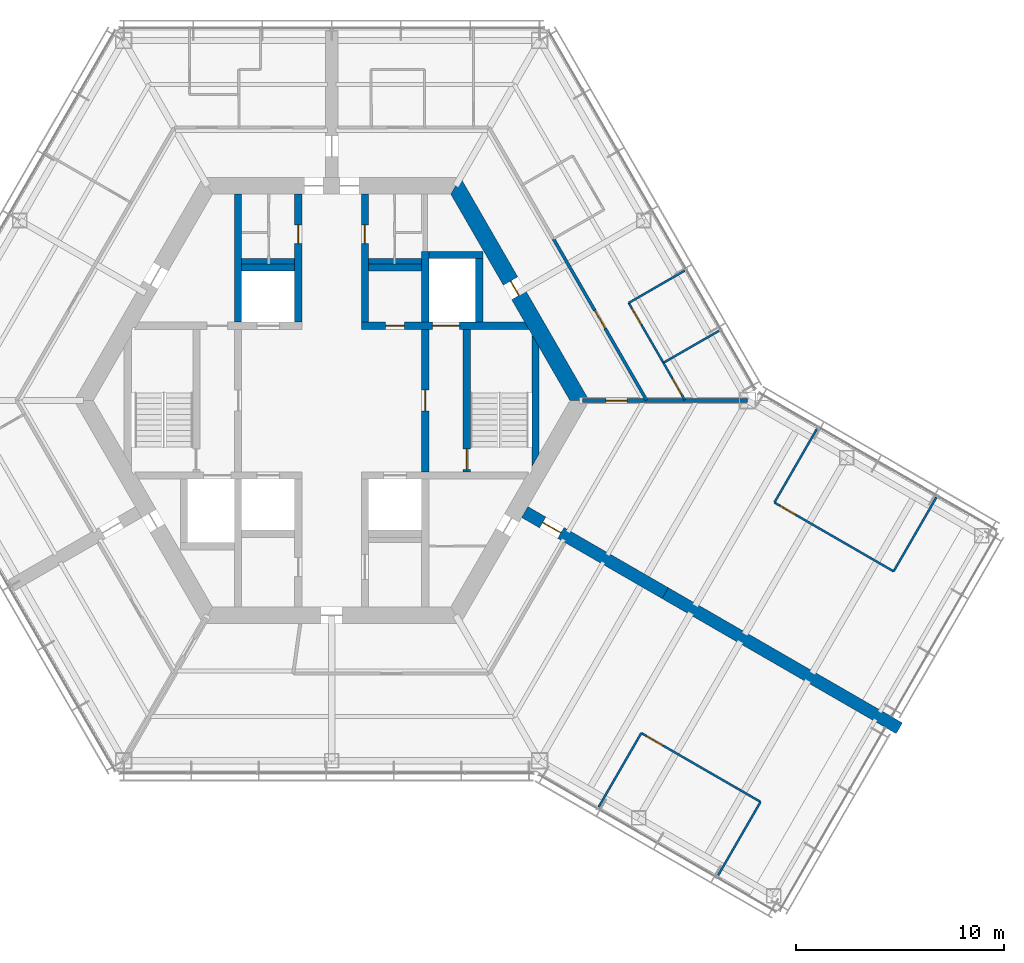
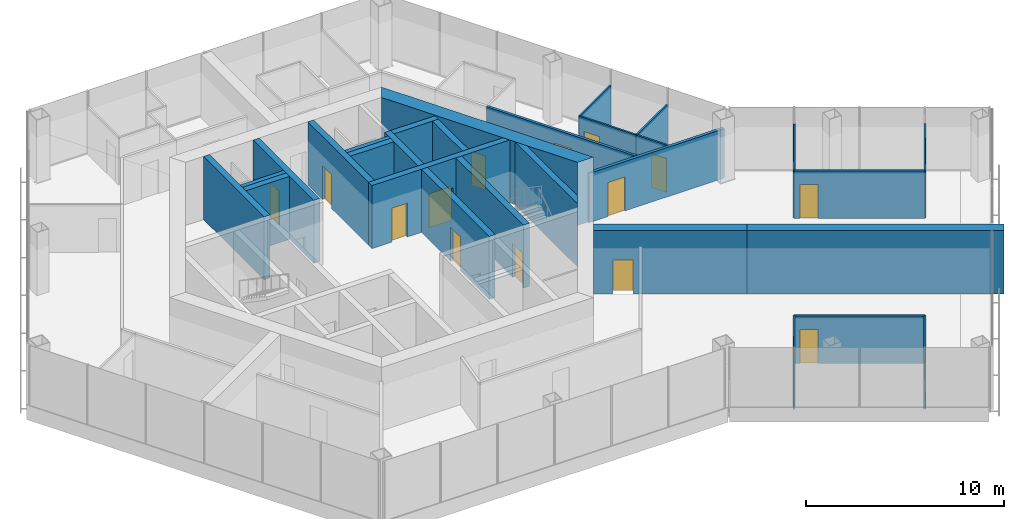
# One storey, part 11 of 14: 29 walls, 14 doors, 14 openings.
"""IFC4 building model written with IfcOpenShell, lengths in metres."""

from ifc_helpers import new_model, si_unit, direction, frame, frame_2d, origin, place, context, subcontext, project, spatial, polyline, rectangle, outline, extrude, material, layer, layer_set, type_object, element, fill, save


model = new_model("IFC4")

# Units and contexts
model_context = context("Model", 3, precision=1e-05, world=origin(), true_north=direction((0.0, 1.0)))
body_context = subcontext(model_context, "Body", "Model", "MODEL_VIEW")
ifc_project = project(units=[si_unit("LENGTHUNIT", "METRE"), si_unit("AREAUNIT", "SQUARE_METRE"), si_unit("VOLUMEUNIT", "CUBIC_METRE"), si_unit("PLANEANGLEUNIT", "RADIAN"), si_unit("MASSUNIT", "GRAM", prefix="KILO")], contexts=[model_context])

# Site, building, storey
site_placement = place(None, origin())
site = spatial("IfcSite", under=ifc_project, at=site_placement, CompositionType="ELEMENT")
building_placement = place(site_placement, origin())
building = spatial("IfcBuilding", under=site, at=building_placement, Name="Kasaneha Research Tower", CompositionType="ELEMENT")
storey_placement = place(building_placement, frame((0.0, 0.0, 216.699951171875)))
storey = spatial("IfcBuildingStorey", under=building, at=storey_placement, Name="L54", CompositionType="ELEMENT", Elevation=216.699951171875)

# Wall, openings, doors
ifc_material_1 = material(Name="Concrete Fc60", Category="concrete")
ifc_layer_1 = layer(ifc_material_1, 0.35009765625)
ifc_layer_set_1 = layer_set([ifc_layer_1], Name="Core internal wall 350 Fc60")
wall_type_1 = type_object("IfcWallType", Name="Core internal wall 350 Fc60", PredefinedType="SHEAR", material=ifc_layer_set_1)
wall_1_placement = place(storey_placement, frame((1.425048828125, 3.60009765625, 0.0), z_axis=(0.0, 0.0, 1.0), x_axis=(1.0, 0.0, 0.0)))
wall_1 = element("IfcWall", 1, at=wall_1_placement, inside=storey, type_object=wall_type_1, Name="Core wall W1E L54", PredefinedType="SHEAR", context=body_context, shape_type="SweptSolid", body=[
    extrude(outline(polyline([(0.0, -0.175048828125), (1.175048828125, -0.175048828125), (2.074951171875, -0.175048828125), (3.425048828125, -0.175048828125), (4.72509765625, -0.175048828125), (8.057861328125, -0.175048828125), (7.855712890625, 0.175048828125), (4.72509765625, 0.175048828125), (3.425048828125, 0.175048828125), (2.074951171875, 0.175048828125), (1.175048828125, 0.175048828125), (0.0, 0.175048828125), (0.0, -0.175048828125)])), origin(), (0.0, 0.0, 1.0), 3.900146484375),
])
opening_1_placement = place(wall_1_placement, frame((1.175048828125, 0.0, 0.0)))
opening_1 = element("IfcOpeningElement", 2, at=opening_1_placement, cuts=wall_1, Name="Opening L54-D17", PredefinedType="OPENING", context=body_context, shape_type="SweptSolid", body=[
    extrude(rectangle(XDim=0.89990234375, YDim=2.10009765625, at=frame_2d((0.449951171875, 1.050048828125))), frame((0.0, 0.18505859375, 0.0), z_axis=(0.0, -1.0, 0.0), x_axis=(1.0, 0.0, 0.0)), (0.0, 0.0, 1.0), 0.3701171875),
])
opening_2_placement = place(wall_1_placement, frame((3.425048828125, 0.0, 0.0)))
opening_2 = element("IfcOpeningElement", 3, at=opening_2_placement, cuts=wall_1, Name="Opening LD-FL1-L54", PredefinedType="OPENING", context=body_context, shape_type="SweptSolid", body=[
    extrude(rectangle(XDim=1.300048828125, YDim=2.10009765625, at=frame_2d((0.64990234375, 1.050048828125))), frame((0.0, 0.18505859375, 0.0), z_axis=(0.0, -1.0, 0.0), x_axis=(1.0, 0.0, 0.0)), (0.0, 0.0, 1.0), 0.3701171875),
])
ifc_material_2 = material(Name="Steel", Category="steel")
door_type_1 = type_object("IfcDoorType", Name="Lift landing door 1300x2100", OperationType="DOUBLE_DOOR_SLIDING", PredefinedType="DOOR", material=ifc_material_2)
door_1_placement = place(opening_2_placement, origin())
door_1 = element("IfcDoor", 4, at=door_1_placement, inside=storey, type_object=door_type_1, Name="Landing door FL1 LD-FL1-L54", OperationType="DOUBLE_DOOR_SLIDING", OverallHeight=2.10009765625, OverallWidth=1.300048828125, PredefinedType="DOOR", context=body_context, shape_type="SweptSolid", body=[
    extrude(rectangle(XDim=1.300048828125, YDim=2.10009765625, at=frame_2d((0.64990234375, 1.050048828125))), frame((0.0, 0.02490234375, 0.0), z_axis=(0.0, -1.0, 0.0), x_axis=(1.0, 0.0, 0.0)), (0.0, 0.0, 1.0), 0.050048828125),
])
fill(opening_2, door_1)
ifc_material_3 = material(Name="Steel", Category="steel")
door_type_2 = type_object("IfcDoorType", Name="Shaft room door FD60 900x2100", OperationType="NOTDEFINED", PredefinedType="DOOR", material=ifc_material_3)
door_2_placement = place(opening_1_placement, origin())
door_2 = element("IfcDoor", 5, at=door_2_placement, inside=storey, type_object=door_type_2, Name="Housekeeping store door L54-D17", OperationType="SINGLE_SWING_LEFT", OverallHeight=2.10009765625, OverallWidth=0.89990234375, PredefinedType="DOOR", context=body_context, shape_type="SweptSolid", body=[
    extrude(rectangle(XDim=0.89990234375, YDim=2.10009765625, at=frame_2d((0.449951171875, 1.050048828125))), frame((0.0, 0.02490234375, 0.0), z_axis=(0.0, -1.0, 0.0), x_axis=(1.0, 0.0, 0.0)), (0.0, 0.0, 1.0), 0.050048828125),
])
fill(opening_1, door_2)

# Wall, opening, door
wall_2_placement = place(storey_placement, frame((-1.60009765625, 3.77490234375, 0.0), z_axis=(0.0, 0.0, 1.0), x_axis=(0.0, 1.0, 0.0)))
wall_2 = element("IfcWall", 6, at=wall_2_placement, inside=storey, type_object=wall_type_1, Name="Core wall CNW L54", PredefinedType="SHEAR", context=body_context, shape_type="SweptSolid", body=[
    extrude(rectangle(XDim=6.150146484375, YDim=0.35009765625, at=frame_2d((3.0751953125, 0.0))), origin(), (0.0, 0.0, 1.0), 3.900146484375),
])
opening_3_placement = place(wall_2_placement, frame((3.77490234375, 0.0, 0.0)))
opening_3 = element("IfcOpeningElement", 7, at=opening_3_placement, cuts=wall_2, Name="Opening L54-D13", PredefinedType="OPENING", context=body_context, shape_type="SweptSolid", body=[
    extrude(rectangle(XDim=0.89990234375, YDim=2.10009765625, at=frame_2d((0.449951171875, 1.050048828125))), frame((0.0, 0.18505859375, 0.0), z_axis=(0.0, -1.0, 0.0), x_axis=(1.0, 0.0, 0.0)), (0.0, 0.0, 1.0), 0.3701171875),
])
ifc_material_4 = material(Name="Steel", Category="steel")
door_type_3 = type_object("IfcDoorType", Name="Toilet door FD20 900x2100", OperationType="NOTDEFINED", PredefinedType="DOOR", material=ifc_material_4)
door_3_placement = place(opening_3_placement, origin())
door_3 = element("IfcDoor", 8, at=door_3_placement, inside=storey, type_object=door_type_3, Name="Men's WC door L54-D13", OperationType="SINGLE_SWING_LEFT", OverallHeight=2.10009765625, OverallWidth=0.89990234375, PredefinedType="DOOR", context=body_context, shape_type="SweptSolid", body=[
    extrude(rectangle(XDim=0.89990234375, YDim=2.10009765625, at=frame_2d((0.449951171875, 1.050048828125))), frame((0.0, 0.02490234375, 0.0), z_axis=(0.0, -1.0, 0.0), x_axis=(1.0, 0.0, 0.0)), (0.0, 0.0, 1.0), 0.050048828125),
])
fill(opening_3, door_3)

wall_3_placement = place(storey_placement, frame((1.60009765625, 3.77490234375, 0.0), z_axis=(0.0, 0.0, 1.0), x_axis=(0.0, 1.0, 0.0)))
wall_3 = element("IfcWall", 9, at=wall_3_placement, inside=storey, type_object=wall_type_1, Name="Core wall CNE L54", PredefinedType="SHEAR", context=body_context, shape_type="SweptSolid", body=[
    extrude(rectangle(XDim=6.150146484375, YDim=0.35009765625, at=frame_2d((3.0751953125, 0.0))), origin(), (0.0, 0.0, 1.0), 3.900146484375),
])
opening_4_placement = place(wall_3_placement, frame((3.77490234375, 0.0, 0.0)))
opening_4 = element("IfcOpeningElement", 10, at=opening_4_placement, cuts=wall_3, Name="Opening L54-D14", PredefinedType="OPENING", context=body_context, shape_type="SweptSolid", body=[
    extrude(rectangle(XDim=0.89990234375, YDim=2.10009765625, at=frame_2d((0.449951171875, 1.050048828125))), frame((0.0, 0.18505859375, 0.0), z_axis=(0.0, -1.0, 0.0), x_axis=(1.0, 0.0, 0.0)), (0.0, 0.0, 1.0), 0.3701171875),
])
door_4_placement = place(opening_4_placement, origin())
door_4 = element("IfcDoor", 11, at=door_4_placement, inside=storey, type_object=door_type_3, Name="Women's WC door L54-D14", OperationType="SINGLE_SWING_LEFT", OverallHeight=2.10009765625, OverallWidth=0.89990234375, PredefinedType="DOOR", context=body_context, shape_type="SweptSolid", body=[
    extrude(rectangle(XDim=0.89990234375, YDim=2.10009765625, at=frame_2d((0.449951171875, 1.050048828125))), frame((0.0, 0.02490234375, 0.0), z_axis=(0.0, -1.0, 0.0), x_axis=(1.0, 0.0, 0.0)), (0.0, 0.0, 1.0), 0.050048828125),
])
fill(opening_4, door_4)

wall_4_placement = place(storey_placement, frame((4.5, -3.425048828125, 0.0), z_axis=(0.0, 0.0, 1.0), x_axis=(0.0, 1.0, 0.0)))
wall_4 = element("IfcWall", 12, at=wall_4_placement, inside=storey, type_object=wall_type_1, Name="Core wall LBE L54", PredefinedType="SHEAR", context=body_context, shape_type="SweptSolid", body=[
    extrude(rectangle(XDim=6.85009765625, YDim=0.35009765625, at=frame_2d((3.425048828125, 0.0))), origin(), (0.0, 0.0, 1.0), 3.900146484375),
])
opening_5_placement = place(wall_4_placement, frame((2.925048828125, 0.0, 0.0)))
opening_5 = element("IfcOpeningElement", 13, at=opening_5_placement, cuts=wall_4, Name="Opening L54-D08", PredefinedType="OPENING", context=body_context, shape_type="SweptSolid", body=[
    extrude(rectangle(XDim=1.0, YDim=2.10009765625, at=frame_2d((0.5, 1.050048828125))), frame((0.0, 0.18505859375, 0.0), z_axis=(0.0, -1.0, 0.0), x_axis=(1.0, 0.0, 0.0)), (0.0, 0.0, 1.0), 0.3701171875),
])
ifc_material_5 = material(Name="Steel", Category="steel")
door_type_4 = type_object("IfcDoorType", Name="Specified fire door FD60 1000x2100", OperationType="NOTDEFINED", PredefinedType="DOOR", material=ifc_material_5)
door_5_placement = place(opening_5_placement, origin())
door_5 = element("IfcDoor", 14, at=door_5_placement, inside=storey, type_object=door_type_4, Name="Lift lobby door east L54-D08", OperationType="SINGLE_SWING_LEFT", OverallHeight=2.10009765625, OverallWidth=1.0, PredefinedType="DOOR", context=body_context, shape_type="SweptSolid", body=[
    extrude(rectangle(XDim=1.0, YDim=2.10009765625, at=frame_2d((0.5, 1.050048828125))), frame((0.0, 0.02490234375, 0.0), z_axis=(0.0, -1.0, 0.0), x_axis=(1.0, 0.0, 0.0)), (0.0, 0.0, 1.0), 0.050048828125),
])
fill(opening_5, door_5)

wall_5_placement = place(storey_placement, frame((6.5, -3.425048828125, 0.0), z_axis=(0.0, 0.0, 1.0), x_axis=(0.0, 1.0, 0.0)))
wall_5 = element("IfcWall", 15, at=wall_5_placement, inside=storey, type_object=wall_type_1, Name="Core wall ANE L54", PredefinedType="SHEAR", context=body_context, shape_type="SweptSolid", body=[
    extrude(rectangle(XDim=6.85009765625, YDim=0.35009765625, at=frame_2d((3.425048828125, 0.0))), origin(), (0.0, 0.0, 1.0), 3.900146484375),
])
opening_6_placement = place(wall_5_placement, frame((0.10009765625, 0.0, 0.0)))
opening_6 = element("IfcOpeningElement", 16, at=opening_6_placement, cuts=wall_5, Name="Opening L54-D10", PredefinedType="OPENING", context=body_context, shape_type="SweptSolid", body=[
    extrude(rectangle(XDim=1.0, YDim=2.10009765625, at=frame_2d((0.5, 1.050048828125))), frame((0.0, 0.18505859375, 0.0), z_axis=(0.0, -1.0, 0.0), x_axis=(1.0, 0.0, 0.0)), (0.0, 0.0, 1.0), 0.3701171875),
])
door_6_placement = place(opening_6_placement, origin())
door_6 = element("IfcDoor", 17, at=door_6_placement, inside=storey, type_object=door_type_4, Name="Stair 1 door L54-D10", OperationType="SINGLE_SWING_LEFT", OverallHeight=2.10009765625, OverallWidth=1.0, PredefinedType="DOOR", context=body_context, shape_type="SweptSolid", body=[
    extrude(rectangle(XDim=1.0, YDim=2.10009765625, at=frame_2d((0.5, 1.050048828125))), frame((0.0, 0.02490234375, 0.0), z_axis=(0.0, -1.0, 0.0), x_axis=(1.0, 0.0, 0.0)), (0.0, 0.0, 1.0), 0.050048828125),
])
fill(opening_6, door_6)

# Walls
wall_6_placement = place(storey_placement, frame((-4.5, 3.77490234375, 0.0), z_axis=(0.0, 0.0, 1.0), x_axis=(0.0, 1.0, 0.0)))
element("IfcWall", 18, at=wall_6_placement, inside=storey, type_object=wall_type_1, Name="Core wall VNW L54", PredefinedType="SHEAR", context=body_context, shape_type="SweptSolid", body=[
    extrude(rectangle(XDim=6.150146484375, YDim=0.35009765625, at=frame_2d((3.0751953125, 0.0))), origin(), (0.0, 0.0, 1.0), 3.900146484375),
])
wall_7_placement = place(storey_placement, frame((4.5, 3.77490234375, 0.0), z_axis=(0.0, 0.0, 1.0), x_axis=(0.0, 1.0, 0.0)))
element("IfcWall", 19, at=wall_7_placement, inside=storey, type_object=wall_type_1, Name="Core wall FNE L54", PredefinedType="SHEAR", context=body_context, shape_type="SweptSolid", body=[
    extrude(rectangle(XDim=3.400146484375, YDim=0.35009765625, at=frame_2d((1.7001953125, 0.0))), origin(), (0.0, 0.0, 1.0), 3.900146484375),
])
for number, where, z_axis, x_axis, name in (
    (20, (-4.324951171875, 6.39990234375, 0.0), (0.0, 0.0, 1.0), (1.0, 0.0, 0.0), "Core wall N1N L54"),
    (21, (1.77490234375, 6.39990234375, 0.0), (0.0, 0.0, 1.0), (1.0, 0.0, 0.0), "Core wall N3N L54"),
):
    element("IfcWall", number, at=place(storey_placement, frame(where, z_axis=z_axis, x_axis=x_axis)), inside=storey, type_object=wall_type_1, Name=name, PredefinedType="SHEAR", context=body_context, shape_type="SweptSolid", body=[
        extrude(rectangle(XDim=2.550048828125, YDim=0.35009765625, at=frame_2d((1.27490234375, 0.0))), origin(), (0.0, 0.0, 1.0), 3.900146484375),
    ])
wall_8_placement = place(storey_placement, frame((4.675048828125, 7.0, 0.0), z_axis=(0.0, 0.0, 1.0), x_axis=(1.0, 0.0, 0.0)))
element("IfcWall", 22, at=wall_8_placement, inside=storey, type_object=wall_type_1, Name="Core wall F1N L54", PredefinedType="SHEAR", context=body_context, shape_type="SweptSolid", body=[
    extrude(rectangle(XDim=2.599853515625, YDim=0.35009765625, at=frame_2d((1.2998046875, 0.0))), origin(), (0.0, 0.0, 1.0), 3.900146484375),
])
wall_9_placement = place(storey_placement, frame((7.10009765625, 3.77490234375, 0.0), z_axis=(0.0, 0.0, 1.0), x_axis=(0.0, 1.0, 0.0)))
element("IfcWall", 23, at=wall_9_placement, inside=storey, type_object=wall_type_1, Name="Core wall F1E L54", PredefinedType="SHEAR", context=body_context, shape_type="SweptSolid", body=[
    extrude(rectangle(XDim=3.050048828125, YDim=0.35009765625, at=frame_2d((1.52490234375, 0.0))), origin(), (0.0, 0.0, 1.0), 3.900146484375),
])
wall_10_placement = place(storey_placement, frame((9.807861328125, -2.8623046875, 0.0), z_axis=(0.0, 0.0, 1.0), x_axis=(0.0, 1.0, 0.0)))
element("IfcWall", 24, at=wall_10_placement, inside=storey, type_object=wall_type_1, Name="Core wall STE L54", PredefinedType="SHEAR", context=body_context, shape_type="SweptSolid", body=[
    extrude(outline(polyline([(0.30322265625, -0.175048828125), (5.42138671875, -0.175048828125), (6.02783203125, 0.175048828125), (-0.30322265625, 0.175048828125), (0.30322265625, -0.175048828125)])), origin(), (0.0, 0.0, 1.0), 3.900146484375),
])

# Wall, opening, door
ifc_material_6 = material(Name="Concrete Fc60", Category="concrete")
ifc_layer_2 = layer(ifc_material_6, 0.800048828125)
ifc_layer_set_2 = layer_set([ifc_layer_2], Name="Core wall 800 Fc60")
wall_type_2 = type_object("IfcWallType", Name="Core wall 800 Fc60", PredefinedType="SHEAR", material=ifc_layer_set_2)
wall_11_placement = place(storey_placement, frame((11.92236328125, 0.0, 0.0), z_axis=(0.0, 0.0, 1.0), x_axis=(-0.500004296715, 0.866022923061, 0.0)))
wall_11 = element("IfcWall", 25, at=wall_11_placement, inside=storey, type_object=wall_type_2, Name="Core wall 030 L54", PredefinedType="SHEAR", context=body_context, shape_type="SweptSolid", body=[
    extrude(outline(polyline([(-0.23095703125, -0.39990234375), (5.83544921875, -0.39990234375), (6.635498046875, -0.39990234375), (12.1533203125, -0.39990234375), (11.69140625, 0.39990234375), (6.635498046875, 0.39990234375), (5.83544921875, 0.39990234375), (0.23095703125, 0.39990234375), (-0.23095703125, -0.39990234375)])), origin(), (0.0, 0.0, 1.0), 3.900146484375),
])
opening_7_placement = place(wall_11_placement, frame((5.83544921875, 0.0, 0.0)))
opening_7 = element("IfcOpeningElement", 26, at=opening_7_placement, cuts=wall_11, Name="Opening L54-D04", PredefinedType="OPENING", context=body_context, shape_type="SweptSolid", body=[
    extrude(rectangle(XDim=0.800048828125, YDim=2.10009765625, at=frame_2d((0.39990234375, 1.050048828125))), frame((0.0, 0.41015625, 0.0), z_axis=(0.0, -1.0, 0.0), x_axis=(1.0, 0.0, 0.0)), (0.0, 0.0, 1.0), 0.820068359375),
])
ifc_material_7 = material(Name="Steel", Category="steel")
door_type_5 = type_object("IfcDoorType", Name="Riser access door FD60 800x2100", OperationType="NOTDEFINED", PredefinedType="DOOR", material=ifc_material_7)
door_7_placement = place(opening_7_placement, origin())
door_7 = element("IfcDoor", 27, at=door_7_placement, inside=storey, type_object=door_type_5, Name="Pipe riser door L54-D04", OperationType="SINGLE_SWING_RIGHT", OverallHeight=2.10009765625, OverallWidth=0.800048828125, PredefinedType="DOOR", context=body_context, shape_type="SweptSolid", body=[
    extrude(rectangle(XDim=0.800048828125, YDim=2.10009765625, at=frame_2d((0.39990234375, 1.050048828125))), frame((0.0, 0.02490234375, 0.0), z_axis=(0.0, -1.0, 0.0), x_axis=(1.0, 0.0, 0.0)), (0.0, 0.0, 1.0), 0.050048828125),
])
fill(opening_7, door_7)

# Walls
ifc_material_8 = material(Name="Gypsum board on steel studs, one layer each side", Category="steel")
ifc_layer_3 = layer(ifc_material_8, 0.10009765625)
ifc_layer_set_3 = layer_set([ifc_layer_3], Name="Office partition 100")
wall_type_3 = type_object("IfcWallType", Name="Office partition 100", PredefinedType="PARTITIONING", material=ifc_layer_set_3)
wall_12_placement = place(storey_placement, frame((18.619873046875, 3.3505859375, 0.0), z_axis=(0.0, 0.0, 1.0), x_axis=(-0.866810383216, -0.498637904244, 0.0)))
element("IfcWall", 28, at=wall_12_placement, inside=storey, type_object=wall_type_3, Name="Office partition FAE15 L54", PredefinedType="PARTITIONING", context=body_context, shape_type="SweptSolid", body=[
    extrude(rectangle(XDim=3.080078125, YDim=0.10009765625, at=frame_2d((1.5400390625, 0.0))), origin(), (0.0, 0.0, 1.0), 2.949951171875),
])
wall_13_placement = place(storey_placement, frame((14.287109375, 4.6953125, 0.0), z_axis=(0.0, 0.0, 1.0), x_axis=(0.866036558865, 0.499980678337, 0.0)))
element("IfcWall", 29, at=wall_13_placement, inside=storey, type_object=wall_type_3, Name="Office partition FAE16 L54", PredefinedType="PARTITIONING", context=body_context, shape_type="SweptSolid", body=[
    extrude(rectangle(XDim=3.10986328125, YDim=0.10009765625, at=frame_2d((1.554931640625, 0.0))), origin(), (0.0, 0.0, 1.0), 2.949951171875),
])

# Wall, opening, door
wall_14_placement = place(storey_placement, frame((15.956298828125, 1.812744140625, 0.0), z_axis=(0.0, 0.0, 1.0), x_axis=(-0.501111387448, 0.865382792393, 0.0)))
wall_14 = element("IfcWall", 30, at=wall_14_placement, inside=storey, type_object=wall_type_3, Name="Office partition FAE17 L54", PredefinedType="PARTITIONING", context=body_context, shape_type="SweptSolid", body=[
    extrude(rectangle(XDim=3.3310546875, YDim=0.10009765625, at=frame_2d((1.66552734375, 0.0))), origin(), (0.0, 0.0, 1.0), 2.949951171875),
])
opening_8_placement = place(wall_14_placement, frame((2.130859375, 0.0, 0.0)))
opening_8 = element("IfcOpeningElement", 31, at=opening_8_placement, cuts=wall_14, Name="Opening L54-D32", PredefinedType="OPENING", context=body_context, shape_type="SweptSolid", body=[
    extrude(rectangle(XDim=0.89990234375, YDim=2.10009765625, at=frame_2d((0.449951171875, 1.050048828125))), frame((0.0, 0.06005859375, 0.0), z_axis=(0.0, -1.0, 0.0), x_axis=(1.0, 0.0, 0.0)), (0.0, 0.0, 1.0), 0.1201171875),
])
ifc_material_9 = material(Name="Timber veneer", Category="wood")
door_type_6 = type_object("IfcDoorType", Name="Office door 900x2100", OperationType="SINGLE_SWING_LEFT", PredefinedType="DOOR", material=ifc_material_9)
door_8_placement = place(opening_8_placement, origin())
door_8 = element("IfcDoor", 32, at=door_8_placement, inside=storey, type_object=door_type_6, Name="Workroom door L54-D32", OperationType="SINGLE_SWING_RIGHT", OverallHeight=2.10009765625, OverallWidth=0.89990234375, PredefinedType="DOOR", context=body_context, shape_type="SweptSolid", body=[
    extrude(rectangle(XDim=0.89990234375, YDim=2.10009765625, at=frame_2d((0.449951171875, 1.050048828125))), frame((0.0, 0.02490234375, 0.0), z_axis=(0.0, -1.0, 0.0), x_axis=(1.0, 0.0, 0.0)), (0.0, 0.0, 1.0), 0.050048828125),
])
fill(opening_8, door_8)

wall_15_placement = place(storey_placement, frame((16.986083984375, 0.02001953125, 0.0), z_axis=(0.0, 0.0, 1.0), x_axis=(-0.498096123952, 0.867121820337, 0.0)))
wall_15 = element("IfcWall", 33, at=wall_15_placement, inside=storey, type_object=wall_type_3, Name="Office partition FAE18 L54", PredefinedType="PARTITIONING", context=body_context, shape_type="SweptSolid", body=[
    extrude(rectangle(XDim=2.0673828125, YDim=0.10009765625, at=frame_2d((1.03369140625, 0.0))), origin(), (0.0, 0.0, 1.0), 2.949951171875),
])
opening_9_placement = place(wall_15_placement, frame((0.300048828125, 0.0, 0.0)))
opening_9 = element("IfcOpeningElement", 34, at=opening_9_placement, cuts=wall_15, Name="Opening L54-D33", PredefinedType="OPENING", context=body_context, shape_type="SweptSolid", body=[
    extrude(rectangle(XDim=0.89990234375, YDim=2.10009765625, at=frame_2d((0.449951171875, 1.050048828125))), frame((0.0, 0.06005859375, 0.0), z_axis=(0.0, -1.0, 0.0), x_axis=(1.0, 0.0, 0.0)), (0.0, 0.0, 1.0), 0.1201171875),
])
door_9_placement = place(opening_9_placement, origin())
door_9 = element("IfcDoor", 35, at=door_9_placement, inside=storey, type_object=door_type_6, Name="Phone room door L54-D33", OperationType="SINGLE_SWING_LEFT", OverallHeight=2.10009765625, OverallWidth=0.89990234375, PredefinedType="DOOR", context=body_context, shape_type="SweptSolid", body=[
    extrude(rectangle(XDim=0.89990234375, YDim=2.10009765625, at=frame_2d((0.449951171875, 1.050048828125))), frame((0.0, 0.02490234375, 0.0), z_axis=(0.0, -1.0, 0.0), x_axis=(1.0, 0.0, 0.0)), (0.0, 0.0, 1.0), 0.050048828125),
])
fill(opening_9, door_9)

# Wall
wall_16_placement = place(storey_placement, frame((21.292236328125, -4.903076171875, 0.0), z_axis=(0.0, 0.0, 1.0), x_axis=(0.500000428765, 0.866025156237, 0.0)))
element("IfcWall", 36, at=wall_16_placement, inside=storey, type_object=wall_type_3, Name="Office partition FCE01 L54", PredefinedType="PARTITIONING", context=body_context, shape_type="SweptSolid", body=[
    extrude(rectangle(XDim=4.080078125, YDim=0.10009765625, at=frame_2d((2.0400390625, 0.0))), origin(), (0.0, 0.0, 1.0), 2.949951171875),
])

# Wall, opening, door
wall_17_placement = place(storey_placement, frame((27.02490234375, -8.212890625, 0.0), z_axis=(0.0, 0.0, 1.0), x_axis=(-0.866021597574, 0.500006592492, 0.0)))
wall_17 = element("IfcWall", 37, at=wall_17_placement, inside=storey, type_object=wall_type_3, Name="Office partition FCE02 L54", PredefinedType="PARTITIONING", context=body_context, shape_type="SweptSolid", body=[
    extrude(rectangle(XDim=6.61962890625, YDim=0.10009765625, at=frame_2d((3.309814453125, 0.0))), origin(), (0.0, 0.0, 1.0), 2.949951171875),
])
opening_10_placement = place(wall_17_placement, frame((5.419677734375, 0.0, 0.0)))
opening_10 = element("IfcOpeningElement", 38, at=opening_10_placement, cuts=wall_17, Name="Opening L54-D41", PredefinedType="OPENING", context=body_context, shape_type="SweptSolid", body=[
    extrude(rectangle(XDim=0.89990234375, YDim=2.10009765625, at=frame_2d((0.449951171875, 1.050048828125))), frame((0.0, 0.06005859375, 0.0), z_axis=(0.0, -1.0, 0.0), x_axis=(1.0, 0.0, 0.0)), (0.0, 0.0, 1.0), 0.1201171875),
])
door_10_placement = place(opening_10_placement, origin())
door_10 = element("IfcDoor", 39, at=door_10_placement, inside=storey, type_object=door_type_6, Name="Project room door L54-D41", OperationType="SINGLE_SWING_RIGHT", OverallHeight=2.10009765625, OverallWidth=0.89990234375, PredefinedType="DOOR", context=body_context, shape_type="SweptSolid", body=[
    extrude(rectangle(XDim=0.89990234375, YDim=2.10009765625, at=frame_2d((0.449951171875, 1.050048828125))), frame((0.0, 0.02490234375, 0.0), z_axis=(0.0, -1.0, 0.0), x_axis=(1.0, 0.0, 0.0)), (0.0, 0.0, 1.0), 0.050048828125),
])
fill(opening_10, door_10)

# Walls
wall_18_placement = place(storey_placement, frame((29.080078125, -4.6533203125, 0.0), z_axis=(0.0, 0.0, 1.0), x_axis=(-0.500010383074, -0.866019409031, 0.0)))
element("IfcWall", 40, at=wall_18_placement, inside=storey, type_object=wall_type_3, Name="Office partition FCE03 L54", PredefinedType="PARTITIONING", context=body_context, shape_type="SweptSolid", body=[
    extrude(rectangle(XDim=4.1103515625, YDim=0.10009765625, at=frame_2d((2.05517578125, 0.0))), origin(), (0.0, 0.0, 1.0), 2.949951171875),
])
wall_19_placement = place(storey_placement, frame((12.837158203125, -19.547607421875, 0.0), z_axis=(0.0, 0.0, 1.0), x_axis=(0.499965833383, 0.866045128991, 0.0)))
element("IfcWall", 41, at=wall_19_placement, inside=storey, type_object=wall_type_3, Name="Office partition FCS04 L54", PredefinedType="PARTITIONING", context=body_context, shape_type="SweptSolid", body=[
    extrude(rectangle(XDim=4.110107421875, YDim=0.10009765625, at=frame_2d((2.05517578125, 0.0))), origin(), (0.0, 0.0, 1.0), 2.949951171875),
])

# Wall, opening, door
wall_20_placement = place(storey_placement, frame((14.89208984375, -15.988037109375, 0.0), z_axis=(0.0, 0.0, 1.0), x_axis=(0.866030817826, -0.499990622488, 0.0)))
wall_20 = element("IfcWall", 42, at=wall_20_placement, inside=storey, type_object=wall_type_3, Name="Office partition FCS05 L54", PredefinedType="PARTITIONING", context=body_context, shape_type="SweptSolid", body=[
    extrude(rectangle(XDim=6.619873046875, YDim=0.10009765625, at=frame_2d((3.31005859375, 0.0))), origin(), (0.0, 0.0, 1.0), 2.949951171875),
])
opening_11_placement = place(wall_20_placement, frame((0.300048828125, 0.0, 0.0)))
opening_11 = element("IfcOpeningElement", 43, at=opening_11_placement, cuts=wall_20, Name="Opening L54-D43", PredefinedType="OPENING", context=body_context, shape_type="SweptSolid", body=[
    extrude(rectangle(XDim=0.89990234375, YDim=2.10009765625, at=frame_2d((0.449951171875, 1.050048828125))), frame((0.0, 0.06005859375, 0.0), z_axis=(0.0, -1.0, 0.0), x_axis=(1.0, 0.0, 0.0)), (0.0, 0.0, 1.0), 0.1201171875),
])
door_11_placement = place(opening_11_placement, origin())
door_11 = element("IfcDoor", 44, at=door_11_placement, inside=storey, type_object=door_type_6, Name="Meeting room door L54-D43", OperationType="SINGLE_SWING_LEFT", OverallHeight=2.10009765625, OverallWidth=0.89990234375, PredefinedType="DOOR", context=body_context, shape_type="SweptSolid", body=[
    extrude(rectangle(XDim=0.89990234375, YDim=2.10009765625, at=frame_2d((0.449951171875, 1.050048828125))), frame((0.0, 0.02490234375, 0.0), z_axis=(0.0, -1.0, 0.0), x_axis=(1.0, 0.0, 0.0)), (0.0, 0.0, 1.0), 0.050048828125),
])
fill(opening_11, door_11)

# Wall
wall_21_placement = place(storey_placement, frame((20.625, -19.2978515625, 0.0), z_axis=(0.0, 0.0, 1.0), x_axis=(-0.500000428765, -0.866025156237, 0.0)))
element("IfcWall", 45, at=wall_21_placement, inside=storey, type_object=wall_type_3, Name="Office partition FCS06 L54", PredefinedType="PARTITIONING", context=body_context, shape_type="SweptSolid", body=[
    extrude(rectangle(XDim=4.080078125, YDim=0.10009765625, at=frame_2d((2.0400390625, 0.0))), origin(), (0.0, 0.0, 1.0), 2.949951171875),
])

# Wall, opening, door
ifc_material_10 = material(Name="Concrete Fc60", Category="concrete")
ifc_layer_4 = layer(ifc_material_10, 0.60009765625)
ifc_layer_set_4 = layer_set([ifc_layer_4], Name="Spine wall 600 Fc60")
wall_type_4 = type_object("IfcWallType", Name="Spine wall 600 Fc60", PredefinedType="SHEAR", material=ifc_layer_set_4)
wall_22_placement = place(storey_placement, frame((9.2880859375, -5.362548828125, 0.0), z_axis=(0.0, 0.0, 1.0), x_axis=(0.866031736626, -0.499989031036, 0.0)))
wall_22 = element("IfcWall", 46, at=wall_22_placement, inside=storey, type_object=wall_type_4, Name="Spine wall C L54", PredefinedType="SHEAR", context=body_context, shape_type="SweptSolid", body=[
    extrude(rectangle(XDim=7.795654296875, YDim=0.60009765625, at=frame_2d((3.89794921875, 0.0))), origin(), (0.0, 0.0, 1.0), 3.900146484375),
])
opening_12_placement = place(wall_22_placement, frame((1.0, 0.0, 0.0)))
opening_12 = element("IfcOpeningElement", 47, at=opening_12_placement, cuts=wall_22, Name="Opening L54-D20", PredefinedType="OPENING", context=body_context, shape_type="SweptSolid", body=[
    extrude(rectangle(XDim=1.0, YDim=2.10009765625, at=frame_2d((0.5, 1.050048828125))), frame((0.0, 0.31005859375, 0.0), z_axis=(0.0, -1.0, 0.0), x_axis=(1.0, 0.0, 0.0)), (0.0, 0.0, 1.0), 0.6201171875),
])
door_12_placement = place(opening_12_placement, origin())
door_12 = element("IfcDoor", 48, at=door_12_placement, inside=storey, type_object=door_type_4, Name="Spine doorway C L54-D20", OperationType="SINGLE_SWING_LEFT", OverallHeight=2.10009765625, OverallWidth=1.0, PredefinedType="DOOR", context=body_context, shape_type="SweptSolid", body=[
    extrude(rectangle(XDim=1.0, YDim=2.10009765625, at=frame_2d((0.5, 1.050048828125))), frame((0.0, 0.02490234375, 0.0), z_axis=(0.0, -1.0, 0.0), x_axis=(1.0, 0.0, 0.0)), (0.0, 0.0, 1.0), 0.050048828125),
])
fill(opening_12, door_12)

# Wall
wall_23_placement = place(storey_placement, frame((16.039306640625, -9.26025390625, 0.0), z_axis=(0.0, 0.0, 1.0), x_axis=(0.866024837091, -0.50000098154, 0.0)))
element("IfcWall", 49, at=wall_23_placement, inside=storey, type_object=wall_type_4, Name="Spine wall C wing L54", PredefinedType="SHEAR", context=body_context, shape_type="SweptSolid", body=[
    extrude(rectangle(XDim=13.0, YDim=0.60009765625, at=frame_2d((6.5, 0.0))), origin(), (0.0, 0.0, 1.0), 3.900146484375),
])

# Wall, opening, door
ifc_material_11 = material(Name="Gypsum board on steel studs, two layers each side", Category="steel")
ifc_layer_5 = layer(ifc_material_11, 0.14990234375)
ifc_layer_set_5 = layer_set([ifc_layer_5], Name="Suite partition 150")
wall_type_5 = type_object("IfcWallType", Name="Suite partition 150", PredefinedType="PARTITIONING", material=ifc_layer_set_5)
wall_24_placement = place(storey_placement, frame((10.664306640625, 7.77880859375, 0.0), z_axis=(0.0, 0.0, 1.0), x_axis=(0.49999608499, -0.866027664105, 0.0)))
wall_24 = element("IfcWall", 50, at=wall_24_placement, inside=storey, type_object=wall_type_5, Name="Suite partition FAE07 L54", PredefinedType="PARTITIONING", context=body_context, shape_type="SweptSolid", body=[
    extrude(rectangle(XDim=8.958984375, YDim=0.14990234375, at=frame_2d((4.4794921875, 0.0))), origin(), (0.0, 0.0, 1.0), 2.949951171875),
])
opening_13_placement = place(wall_24_placement, frame((3.9794921875, 0.0, 0.0)))
opening_13 = element("IfcOpeningElement", 51, at=opening_13_placement, cuts=wall_24, Name="Opening L54-D29", PredefinedType="OPENING", context=body_context, shape_type="SweptSolid", body=[
    extrude(rectangle(XDim=1.0, YDim=2.10009765625, at=frame_2d((0.5, 1.050048828125))), frame((0.0, 0.0849609375, 0.0), z_axis=(0.0, -1.0, 0.0), x_axis=(1.0, 0.0, 0.0)), (0.0, 0.0, 1.0), 0.169921875),
])
ifc_material_12 = material(Name="Steel", Category="steel")
door_type_7 = type_object("IfcDoorType", Name="Suite entrance door FD60 1000x2100", OperationType="NOTDEFINED", PredefinedType="DOOR", material=ifc_material_12)
door_13_placement = place(opening_13_placement, origin())
door_13 = element("IfcDoor", 52, at=door_13_placement, inside=storey, type_object=door_type_7, Name="Suite entrance door L54-D29", OperationType="SINGLE_SWING_RIGHT", OverallHeight=2.10009765625, OverallWidth=1.0, PredefinedType="DOOR", context=body_context, shape_type="SweptSolid", body=[
    extrude(rectangle(XDim=1.0, YDim=2.10009765625, at=frame_2d((0.5, 1.050048828125))), frame((0.0, 0.02490234375, 0.0), z_axis=(0.0, -1.0, 0.0), x_axis=(1.0, 0.0, 0.0)), (0.0, 0.0, 1.0), 0.050048828125),
])
fill(opening_13, door_13)

ifc_material_13 = material(Name="Gypsum board on steel studs, two layers each side", Category="steel")
ifc_layer_6 = layer(ifc_material_13, 0.175048828125)
ifc_layer_set_6 = layer_set([ifc_layer_6], Name="Tenancy fire partition 175")
wall_type_6 = type_object("IfcWallType", Name="Tenancy fire partition 175", PredefinedType="PARTITIONING", material=ifc_layer_set_6)
wall_25_placement = place(storey_placement, frame((12.069580078125, 0.0, 0.0), z_axis=(0.0, 0.0, 1.0), x_axis=(1.0, 0.0, 0.0)))
wall_25 = element("IfcWall", 53, at=wall_25_placement, inside=storey, type_object=wall_type_6, Name="Tenancy fire partition T000 L54", PredefinedType="PARTITIONING", context=body_context, shape_type="SweptSolid", body=[
    extrude(rectangle(XDim=7.930419921875, YDim=0.175048828125, at=frame_2d((3.96533203125, 0.0))), origin(), (0.0, 0.0, 1.0), 3.050048828125),
])
opening_14_placement = place(wall_25_placement, frame((1.1298828125, 0.0, 0.0)))
opening_14 = element("IfcOpeningElement", 54, at=opening_14_placement, cuts=wall_25, Name="Opening L54-D26", PredefinedType="OPENING", context=body_context, shape_type="SweptSolid", body=[
    extrude(rectangle(XDim=1.0, YDim=2.10009765625, at=frame_2d((0.5, 1.050048828125))), frame((0.0, 0.09765625, 0.0), z_axis=(0.0, -1.0, 0.0), x_axis=(1.0, 0.0, 0.0)), (0.0, 0.0, 1.0), 0.195068359375),
])
door_14_placement = place(opening_14_placement, origin())
door_14 = element("IfcDoor", 55, at=door_14_placement, inside=storey, type_object=door_type_7, Name="Connecting door L54-D26", OperationType="SINGLE_SWING_RIGHT", OverallHeight=2.10009765625, OverallWidth=1.0, PredefinedType="DOOR", context=body_context, shape_type="SweptSolid", body=[
    extrude(rectangle(XDim=1.0, YDim=2.10009765625, at=frame_2d((0.5, 1.050048828125))), frame((0.0, 0.02490234375, 0.0), z_axis=(0.0, -1.0, 0.0), x_axis=(1.0, 0.0, 0.0)), (0.0, 0.0, 1.0), 0.050048828125),
])
fill(opening_14, door_14)

# Walls
ifc_material_14 = material(Name="Concrete block lining", Category="concrete")
ifc_layer_7 = layer(ifc_material_14, 0.25)
ifc_layer_set_7 = layer_set([ifc_layer_7], Name="WC plumbing wall 250")
wall_type_7 = type_object("IfcWallType", Name="WC plumbing wall 250", PredefinedType="PLUMBINGWALL", material=ifc_layer_set_7)
for number, where, z_axis, x_axis, name in (
    (56, (-4.324951171875, 6.699951171875, 0.0), (0.0, 0.0, 1.0), (1.0, 0.0, 0.0), "WC plumbing wall M L54"),
    (57, (1.77490234375, 6.699951171875, 0.0), (0.0, 0.0, 1.0), (1.0, 0.0, 0.0), "WC plumbing wall F L54"),
):
    element("IfcWall", number, at=place(storey_placement, frame(where, z_axis=z_axis, x_axis=x_axis)), inside=storey, type_object=wall_type_7, Name=name, PredefinedType="PLUMBINGWALL", context=body_context, shape_type="SweptSolid", body=[
        extrude(rectangle(XDim=2.550048828125, YDim=0.25, at=frame_2d((1.27490234375, 0.0))), origin(), (0.0, 0.0, 1.0), 3.900146484375),
    ])

save(model, "model.ifc")
